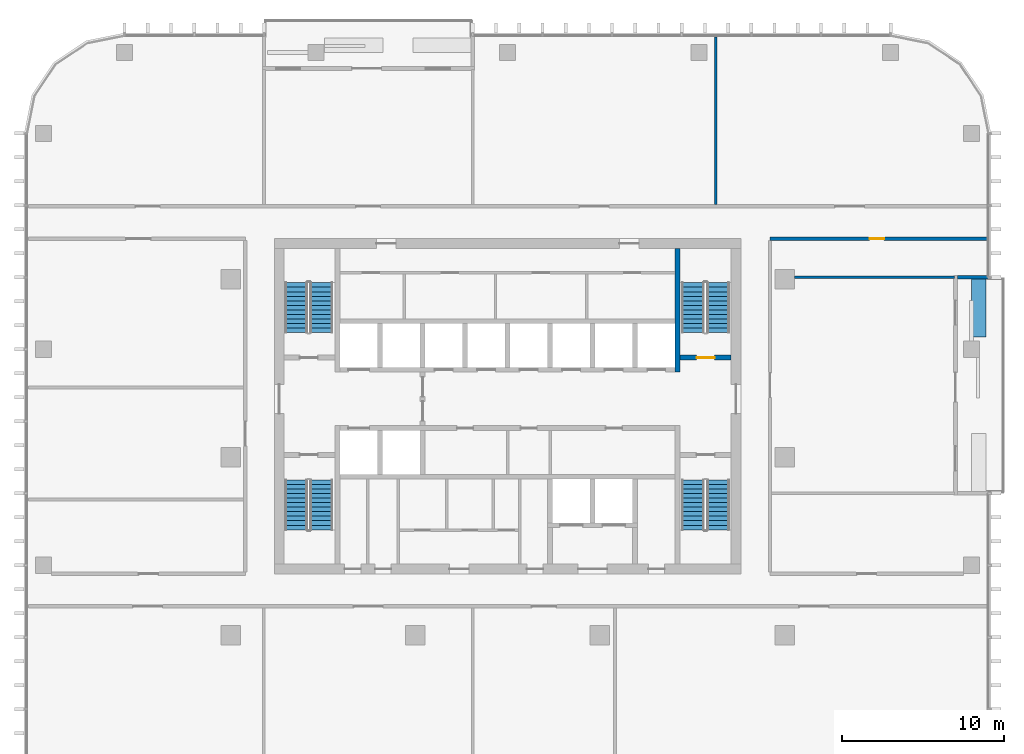
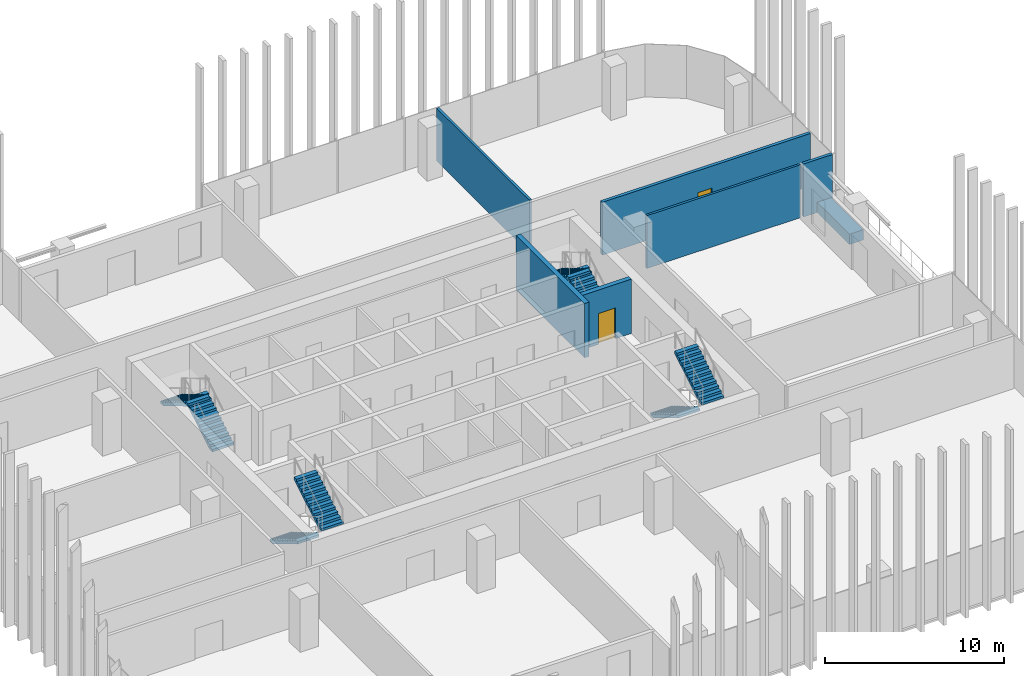
# One storey, part 10 of 16: 8 stair flights, 7 walls, 2 doors, 2 openings, 4 elements without a shape of their own.
"""IFC4 building model written with IfcOpenShell, lengths in metres."""

from ifc_helpers import new_model, si_unit, direction, frame, frame_2d, origin, place, context, subcontext, project, spatial, polyline, rectangle, outline, extrude, material, layer, layer_set, type_object, element, fill, aggregate, save


model = new_model("IFC4")

# Units and contexts
model_context = context("Model", 3, precision=1e-05, world=origin(), true_north=direction((0.0, 1.0)))
body_context = subcontext(model_context, "Body", "Model", "MODEL_VIEW")
ifc_project = project(units=[si_unit("LENGTHUNIT", "METRE"), si_unit("AREAUNIT", "SQUARE_METRE"), si_unit("VOLUMEUNIT", "CUBIC_METRE"), si_unit("PLANEANGLEUNIT", "RADIAN"), si_unit("MASSUNIT", "GRAM", prefix="KILO")], contexts=[model_context])

# Site, building, storey
site_placement = place(None, origin())
site = spatial("IfcSite", under=ifc_project, at=site_placement, CompositionType="ELEMENT")
building_placement = place(site_placement, origin())
building = spatial("IfcBuilding", under=site, at=building_placement, Name="Mopane Tessera Tower", CompositionType="ELEMENT")
storey_placement = place(building_placement, frame((0.0, 0.0, 303.39990234375)))
storey = spatial("IfcBuildingStorey", under=building, at=storey_placement, Name="L66", CompositionType="ELEMENT", Elevation=303.39990234375)

# Wall
ifc_material_1 = material(Name="Concrete C60/75", Category="concrete")
ifc_layer_1 = layer(ifc_material_1, 0.300048828125)
ifc_layer_set_1 = layer_set([ifc_layer_1], Name="Concrete C60/75")
wall_type_1 = type_object("IfcWallType", Name="Core spine wall 300 mm", PredefinedType="SHEAR", material=ifc_layer_set_1)
wall_1_placement = place(storey_placement, frame((10.5, 5.25, 0.0), z_axis=(0.0, 0.0, 1.0), x_axis=(0.0, 1.0, 0.0)))
element("IfcWall", 1, at=wall_1_placement, inside=storey, type_object=wall_type_1, Name="L66 Core spine wall", PredefinedType="SHEAR", context=body_context, shape_type="SweptSolid", body=[
    extrude(rectangle(XDim=7.64990234375, YDim=0.300048828125, at=frame_2d((3.824951171875, 0.0))), origin(), (0.0, 0.0, 1.0), 3.7001953125),
])

# Wall, opening, door
ifc_material_2 = material(Name="Gypsum board on steel studs, two layers each face, mineral wool infill", Category="steel")
ifc_layer_2 = layer(ifc_material_2, 0.199951171875)
ifc_layer_set_2 = layer_set([ifc_layer_2], Name="Gypsum board on steel studs, two layers each face, mineral wool infill")
wall_type_2 = type_object("IfcWallType", Name="Gypsum board corridor wall 200, rated EI 60", PredefinedType="PARTITIONING", material=ifc_layer_set_2)
wall_2_placement = place(storey_placement, frame((16.199951171875, 13.5, 0.0), z_axis=(0.0, 0.0, 1.0), x_axis=(1.0, 0.0, 0.0)))
wall_2 = element("IfcWall", 2, at=wall_2_placement, inside=storey, type_object=wall_type_2, Name="Partition L66:008", PredefinedType="PARTITIONING", context=body_context, shape_type="SweptSolid", body=[
    extrude(rectangle(XDim=13.400146484375, YDim=0.199951171875, at=frame_2d((6.7001953125, 0.0))), origin(), (0.0, 0.0, 1.0), 3.60009765625),
])
opening_1_placement = place(wall_2_placement, frame((6.14990234375, 0.0, 0.0)))
opening_1 = element("IfcOpeningElement", 3, at=opening_1_placement, cuts=wall_2, Name="Opening L66-07", PredefinedType="OPENING", context=body_context, shape_type="SweptSolid", body=[
    extrude(rectangle(XDim=0.89990234375, YDim=2.10009765625, at=frame_2d((0.449951171875, 1.050048828125))), frame((0.0, 0.112060546875, 0.0), z_axis=(0.0, -1.0, 0.0), x_axis=(1.0, 0.0, 0.0)), (0.0, 0.0, 1.0), 0.223876953125),
])
ifc_material_3 = material(Name="Timber veneered steel-framed fire door", Category="steel")
door_type_1 = type_object("IfcDoorType", Name="Fire door FD60 900 x 2100", OperationType="SINGLE_SWING_LEFT", PredefinedType="DOOR", material=ifc_material_3)
door_1_placement = place(opening_1_placement, origin())
door_1 = element("IfcDoor", 4, at=door_1_placement, inside=storey, type_object=door_type_1, Name="Door L66-07", ObjectType="D10A", OperationType="SINGLE_SWING_LEFT", OverallHeight=2.10009765625, OverallWidth=0.89990234375, PredefinedType="DOOR", context=body_context, shape_type="SweptSolid", body=[
    extrude(rectangle(XDim=0.89990234375, YDim=2.10009765625, at=frame_2d((0.449951171875, 1.050048828125))), frame((0.0, 0.02490234375, 0.0), z_axis=(0.0, -1.0, 0.0), x_axis=(1.0, 0.0, 0.0)), (0.0, 0.0, 1.0), 0.050048828125),
])
fill(opening_1, door_1)

# Walls
ifc_material_4 = material(Name="Gypsum board on steel studs, mineral wool infill", Category="steel")
ifc_layer_3 = layer(ifc_material_4, 0.14990234375)
ifc_layer_set_3 = layer_set([ifc_layer_3], Name="Gypsum board on steel studs, mineral wool infill")
wall_type_3 = type_object("IfcWallType", Name="Gypsum board partition 150, rated EI 60", PredefinedType="PARTITIONING", material=ifc_layer_set_3)
wall_3_placement = place(storey_placement, frame((17.699951171875, 11.110107421875, 0.0), z_axis=(0.0, 0.0, 1.0), x_axis=(1.0, 0.0, 0.0)))
element("IfcWall", 5, at=wall_3_placement, inside=storey, type_object=wall_type_3, Name="Partition L66:006", PredefinedType="PARTITIONING", context=body_context, shape_type="SweptSolid", body=[
    extrude(rectangle(XDim=9.900146484375, YDim=0.14990234375, at=frame_2d((4.9501953125, 0.0))), origin(), (0.0, 0.0, 1.0), 3.60009765625),
])
wall_4_placement = place(storey_placement, frame((12.85009765625, 15.60009765625, 0.0), z_axis=(0.0, 0.0, 1.0), x_axis=(0.0, 1.0, 0.0)))
element("IfcWall", 6, at=wall_4_placement, inside=storey, type_object=wall_type_3, Name="Partition L66:016", PredefinedType="PARTITIONING", context=body_context, shape_type="SweptSolid", body=[
    extrude(rectangle(XDim=10.349853515625, YDim=0.14990234375, at=frame_2d((5.1748046875, 0.0))), origin(), (0.0, 0.0, 1.0), 3.60009765625),
])

# Wall, opening, door
ifc_material_5 = material(Name="Concrete C50/60", Category="concrete")
ifc_layer_4 = layer(ifc_material_5, 0.300048828125)
ifc_layer_set_4 = layer_set([ifc_layer_4], Name="Concrete C50/60")
wall_type_4 = type_object("IfcWallType", Name="Lift and stair shaft wall 300 mm", PredefinedType="SOLIDWALL", material=ifc_layer_set_4)
wall_5_placement = place(storey_placement, frame((10.64990234375, 6.14990234375, 0.0), z_axis=(0.0, 0.0, 1.0), x_axis=(1.0, 0.0, 0.0)))
wall_5 = element("IfcWall", 7, at=wall_5_placement, inside=storey, type_object=wall_type_4, Name="L66 Stair enclosure wall", PredefinedType="SOLIDWALL", context=body_context, shape_type="SweptSolid", body=[
    extrude(rectangle(XDim=3.150146484375, YDim=0.300048828125, at=frame_2d((1.5751953125, 0.0))), origin(), (0.0, 0.0, 1.0), 3.7001953125),
])
opening_2_placement = place(wall_5_placement, frame((1.02490234375, 0.0, 0.0)))
opening_2 = element("IfcOpeningElement", 8, at=opening_2_placement, cuts=wall_5, Name="Opening SD1", PredefinedType="OPENING", context=body_context, shape_type="SweptSolid", body=[
    extrude(rectangle(XDim=1.10009765625, YDim=2.10009765625, at=frame_2d((0.550048828125, 1.050048828125))), frame((0.0, 0.162109375, 0.0), z_axis=(0.0, -1.0, 0.0), x_axis=(1.0, 0.0, 0.0)), (0.0, 0.0, 1.0), 0.323974609375),
])
ifc_material_6 = material(Name="Steel fire door", Category="steel")
door_type_2 = type_object("IfcDoorType", Name="Stair fire door 1100 x 2100", OperationType="SINGLE_SWING_LEFT", PredefinedType="DOOR", material=ifc_material_6)
door_2_placement = place(opening_2_placement, origin())
door_2 = element("IfcDoor", 9, at=door_2_placement, inside=storey, type_object=door_type_2, Name="L66 Stair door ST4", OperationType="SINGLE_SWING_RIGHT", OverallHeight=2.10009765625, OverallWidth=1.10009765625, PredefinedType="DOOR", context=body_context, shape_type="SweptSolid", body=[
    extrude(rectangle(XDim=1.10009765625, YDim=2.10009765625, at=frame_2d((0.550048828125, 1.050048828125))), frame((0.0, 0.02490234375, 0.0), z_axis=(0.0, -1.0, 0.0), x_axis=(1.0, 0.0, 0.0)), (0.0, 0.0, 1.0), 0.050048828125),
])
fill(opening_2, door_2)

# Walls
ifc_material_7 = material(Name="Reinforced concrete C32/40 with waterproofing", Category="concrete")
ifc_layer_5 = layer(ifc_material_7, 0.89990234375)
ifc_layer_set_5 = layer_set([ifc_layer_5], Name="Reinforced concrete C32/40 with waterproofing")
wall_type_5 = type_object("IfcWallType", Name="Planter trough 3600 x 900", PredefinedType="STANDARD", material=ifc_layer_set_5)
wall_6_placement = place(storey_placement, frame((29.10009765625, 7.4111328125, 0.0), z_axis=(0.0, 0.0, 1.0), x_axis=(0.0, 1.0, 0.0)))
element("IfcWall", 10, at=wall_6_placement, inside=storey, type_object=wall_type_5, Name="e:nw:L66:N1:pl1", PredefinedType="STANDARD", context=body_context, shape_type="SweptSolid", body=[
    extrude(rectangle(XDim=3.60009765625, YDim=0.89990234375, at=frame_2d((1.800048828125, 0.0))), origin(), (0.0, 0.0, 1.0), 0.7001953125),
])
ifc_material_8 = material(Name="Blockwork with glazed tile facing", Category="masonry")
ifc_layer_6 = layer(ifc_material_8, 0.199951171875)
ifc_layer_set_6 = layer_set([ifc_layer_6], Name="Blockwork with glazed tile facing")
wall_type_6 = type_object("IfcWallType", Name="Terrace cheek wall 200", PredefinedType="STANDARD", material=ifc_layer_set_6)
wall_7_placement = place(storey_placement, frame((29.64990234375, 11.111083984375, 0.0), z_axis=(0.0, 0.0, 1.0), x_axis=(-1.0, 0.0, 0.0)))
element("IfcWall", 11, at=wall_7_placement, inside=storey, type_object=wall_type_6, Name="e:nw:L66:N1:cheekb", PredefinedType="STANDARD", context=body_context, shape_type="SweptSolid", body=[
    extrude(rectangle(XDim=1.875, YDim=0.199951171875, at=frame_2d((0.9375, 0.0))), origin(), (0.0, 0.0, 1.0), 3.60009765625),
])

# Stair, stair flights
ifc_material_9 = material(Name="Concrete C50/60", Category="concrete")
stair_type = type_object("IfcStairType", Name="Escape stair 1400 mm, riser 167 mm", PredefinedType="HALF_TURN_STAIR", material=ifc_material_9)
stair_1_placement = place(storey_placement, origin())
stair_1 = element("IfcStair", 12, at=stair_1_placement, inside=storey, type_object=stair_type, Name="L66 Escape stair south-west", PredefinedType="HALF_TURN_STAIR")
ifc_material_10 = material(Name="Concrete C50/60", Category="concrete")
stair_flight_type = type_object("IfcStairFlightType", Name="Escape stair flight 1400 mm", PredefinedType="STRAIGHT", material=ifc_material_10)
stair_flight_1_placement = place(storey_placement, frame((-13.050048828125, -1.39990234375, 0.0), z_axis=(0.0, 0.0, 1.0), x_axis=(0.0, -1.0, 0.0)))
stair_flight_1 = element("IfcStairFlight", 13, at=stair_flight_1_placement, type_object=stair_flight_type, Name="ST1 flight 1", NumberOfRisers=12, NumberOfTreads=11, PredefinedType="STRAIGHT", RiserHeight=0.166666667, TreadLength=0.28, context=body_context, shape_type="SweptSolid", body=[
    extrude(outline(polyline([(0.0, 0.0), (0.0, 0.166748046875), (0.280029296875, 0.166748046875), (0.280029296875, 0.333251953125), (0.56005859375, 0.333251953125), (0.56005859375, 0.5), (0.840087890625, 0.5), (0.840087890625, 0.666748046875), (1.1201171875, 0.666748046875), (1.1201171875, 0.833251953125), (1.39990234375, 0.833251953125), (1.39990234375, 1.0), (1.679931640625, 1.0), (1.679931640625, 1.166748046875), (1.9599609375, 1.166748046875), (1.9599609375, 1.333251953125), (2.239990234375, 1.333251953125), (2.239990234375, 1.5), (2.52001953125, 1.5), (2.52001953125, 1.666748046875), (2.800048828125, 1.666748046875), (2.800048828125, 1.833251953125), (3.080078125, 1.833251953125), (3.080078125, 2.0), (3.080078125, 1.658935546875), (0.29296875, 0.0), (0.0, 0.0)])), frame((0.0, 0.699951171875, 0.0), z_axis=(0.0, -1.0, 0.0), x_axis=(1.0, 0.0, 0.0)), (0.0, 0.0, 1.0), 1.39990234375),
])
stair_flight_2_placement = place(storey_placement, frame((-11.5, -4.47998046875, 2.0), z_axis=(0.0, 0.0, 1.0), x_axis=(0.0, 1.0, 0.0)))
stair_flight_2 = element("IfcStairFlight", 14, at=stair_flight_2_placement, type_object=stair_flight_type, Name="ST1 flight 2", NumberOfRisers=12, NumberOfTreads=11, PredefinedType="STRAIGHT", RiserHeight=0.166666667, TreadLength=0.28, context=body_context, shape_type="SweptSolid", body=[
    extrude(outline(polyline([(0.0, 0.0), (0.0, 0.166748046875), (0.280029296875, 0.166748046875), (0.280029296875, 0.333251953125), (0.56005859375, 0.333251953125), (0.56005859375, 0.5), (0.840087890625, 0.5), (0.840087890625, 0.666748046875), (1.1201171875, 0.666748046875), (1.1201171875, 0.833251953125), (1.39990234375, 0.833251953125), (1.39990234375, 1.0), (1.679931640625, 1.0), (1.679931640625, 1.166748046875), (1.9599609375, 1.166748046875), (1.9599609375, 1.333251953125), (2.239990234375, 1.333251953125), (2.239990234375, 1.5), (2.52001953125, 1.5), (2.52001953125, 1.666748046875), (2.800048828125, 1.666748046875), (2.800048828125, 1.833251953125), (3.080078125, 1.833251953125), (3.080078125, 2.0), (3.080078125, 1.658935546875), (0.29296875, 0.0), (0.0, 0.0)])), frame((0.0, 0.699951171875, 0.0), z_axis=(0.0, -1.0, 0.0), x_axis=(1.0, 0.0, 0.0)), (0.0, 0.0, 1.0), 1.39990234375),
])
aggregate(stair_1, [stair_flight_1, stair_flight_2])

stair_2_placement = place(storey_placement, origin())
stair_2 = element("IfcStair", 15, at=stair_2_placement, inside=storey, type_object=stair_type, Name="L66 Escape stair north-west", PredefinedType="HALF_TURN_STAIR")
stair_flight_3_placement = place(storey_placement, frame((-11.5, 7.699951171875, 0.0), z_axis=(0.0, 0.0, 1.0), x_axis=(0.0, 1.0, 0.0)))
stair_flight_3 = element("IfcStairFlight", 16, at=stair_flight_3_placement, type_object=stair_flight_type, Name="ST2 flight 1", NumberOfRisers=12, NumberOfTreads=11, PredefinedType="STRAIGHT", RiserHeight=0.166666667, TreadLength=0.28, context=body_context, shape_type="SweptSolid", body=[
    extrude(outline(polyline([(0.0, 0.0), (0.0, 0.166748046875), (0.280029296875, 0.166748046875), (0.280029296875, 0.333251953125), (0.56005859375, 0.333251953125), (0.56005859375, 0.5), (0.840087890625, 0.5), (0.840087890625, 0.666748046875), (1.1201171875, 0.666748046875), (1.1201171875, 0.833251953125), (1.39990234375, 0.833251953125), (1.39990234375, 1.0), (1.679931640625, 1.0), (1.679931640625, 1.166748046875), (1.9599609375, 1.166748046875), (1.9599609375, 1.333251953125), (2.239990234375, 1.333251953125), (2.239990234375, 1.5), (2.52001953125, 1.5), (2.52001953125, 1.666748046875), (2.800048828125, 1.666748046875), (2.800048828125, 1.833251953125), (3.080078125, 1.833251953125), (3.080078125, 2.0), (3.080078125, 1.658935546875), (0.29296875, 0.0), (0.0, 0.0)])), frame((0.0, 0.699951171875, 0.0), z_axis=(0.0, -1.0, 0.0), x_axis=(1.0, 0.0, 0.0)), (0.0, 0.0, 1.0), 1.39990234375),
])
stair_flight_4_placement = place(storey_placement, frame((-13.050048828125, 10.780029296875, 2.0), z_axis=(0.0, 0.0, 1.0), x_axis=(0.0, -1.0, 0.0)))
stair_flight_4 = element("IfcStairFlight", 17, at=stair_flight_4_placement, type_object=stair_flight_type, Name="ST2 flight 2", NumberOfRisers=12, NumberOfTreads=11, PredefinedType="STRAIGHT", RiserHeight=0.166666667, TreadLength=0.28, context=body_context, shape_type="SweptSolid", body=[
    extrude(outline(polyline([(0.0, 0.0), (0.0, 0.166748046875), (0.280029296875, 0.166748046875), (0.280029296875, 0.333251953125), (0.56005859375, 0.333251953125), (0.56005859375, 0.5), (0.840087890625, 0.5), (0.840087890625, 0.666748046875), (1.1201171875, 0.666748046875), (1.1201171875, 0.833251953125), (1.39990234375, 0.833251953125), (1.39990234375, 1.0), (1.679931640625, 1.0), (1.679931640625, 1.166748046875), (1.9599609375, 1.166748046875), (1.9599609375, 1.333251953125), (2.239990234375, 1.333251953125), (2.239990234375, 1.5), (2.52001953125, 1.5), (2.52001953125, 1.666748046875), (2.800048828125, 1.666748046875), (2.800048828125, 1.833251953125), (3.080078125, 1.833251953125), (3.080078125, 2.0), (3.080078125, 1.658935546875), (0.29296875, 0.0), (0.0, 0.0)])), frame((0.0, 0.699951171875, 0.0), z_axis=(0.0, -1.0, 0.0), x_axis=(1.0, 0.0, 0.0)), (0.0, 0.0, 1.0), 1.39990234375),
])
aggregate(stair_2, [stair_flight_3, stair_flight_4])

stair_3_placement = place(storey_placement, origin())
stair_3 = element("IfcStair", 18, at=stair_3_placement, inside=storey, type_object=stair_type, Name="L66 Escape stair south-east", PredefinedType="HALF_TURN_STAIR")
stair_flight_5_placement = place(storey_placement, frame((11.449951171875, -1.39990234375, 0.0), z_axis=(0.0, 0.0, 1.0), x_axis=(0.0, -1.0, 0.0)))
stair_flight_5 = element("IfcStairFlight", 19, at=stair_flight_5_placement, type_object=stair_flight_type, Name="ST3 flight 1", NumberOfRisers=12, NumberOfTreads=11, PredefinedType="STRAIGHT", RiserHeight=0.166666667, TreadLength=0.28, context=body_context, shape_type="SweptSolid", body=[
    extrude(outline(polyline([(0.0, 0.0), (0.0, 0.166748046875), (0.280029296875, 0.166748046875), (0.280029296875, 0.333251953125), (0.56005859375, 0.333251953125), (0.56005859375, 0.5), (0.840087890625, 0.5), (0.840087890625, 0.666748046875), (1.1201171875, 0.666748046875), (1.1201171875, 0.833251953125), (1.39990234375, 0.833251953125), (1.39990234375, 1.0), (1.679931640625, 1.0), (1.679931640625, 1.166748046875), (1.9599609375, 1.166748046875), (1.9599609375, 1.333251953125), (2.239990234375, 1.333251953125), (2.239990234375, 1.5), (2.52001953125, 1.5), (2.52001953125, 1.666748046875), (2.800048828125, 1.666748046875), (2.800048828125, 1.833251953125), (3.080078125, 1.833251953125), (3.080078125, 2.0), (3.080078125, 1.658935546875), (0.29296875, 0.0), (0.0, 0.0)])), frame((0.0, 0.699951171875, 0.0), z_axis=(0.0, -1.0, 0.0), x_axis=(1.0, 0.0, 0.0)), (0.0, 0.0, 1.0), 1.39990234375),
])
stair_flight_6_placement = place(storey_placement, frame((13.0, -4.47998046875, 2.0), z_axis=(0.0, 0.0, 1.0), x_axis=(0.0, 1.0, 0.0)))
stair_flight_6 = element("IfcStairFlight", 20, at=stair_flight_6_placement, type_object=stair_flight_type, Name="ST3 flight 2", NumberOfRisers=12, NumberOfTreads=11, PredefinedType="STRAIGHT", RiserHeight=0.166666667, TreadLength=0.28, context=body_context, shape_type="SweptSolid", body=[
    extrude(outline(polyline([(0.0, 0.0), (0.0, 0.166748046875), (0.280029296875, 0.166748046875), (0.280029296875, 0.333251953125), (0.56005859375, 0.333251953125), (0.56005859375, 0.5), (0.840087890625, 0.5), (0.840087890625, 0.666748046875), (1.1201171875, 0.666748046875), (1.1201171875, 0.833251953125), (1.39990234375, 0.833251953125), (1.39990234375, 1.0), (1.679931640625, 1.0), (1.679931640625, 1.166748046875), (1.9599609375, 1.166748046875), (1.9599609375, 1.333251953125), (2.239990234375, 1.333251953125), (2.239990234375, 1.5), (2.52001953125, 1.5), (2.52001953125, 1.666748046875), (2.800048828125, 1.666748046875), (2.800048828125, 1.833251953125), (3.080078125, 1.833251953125), (3.080078125, 2.0), (3.080078125, 1.658935546875), (0.29296875, 0.0), (0.0, 0.0)])), frame((0.0, 0.699951171875, 0.0), z_axis=(0.0, -1.0, 0.0), x_axis=(1.0, 0.0, 0.0)), (0.0, 0.0, 1.0), 1.39990234375),
])
aggregate(stair_3, [stair_flight_5, stair_flight_6])

stair_4_placement = place(storey_placement, origin())
stair_4 = element("IfcStair", 21, at=stair_4_placement, inside=storey, type_object=stair_type, Name="L66 Escape stair north-east", PredefinedType="HALF_TURN_STAIR")
stair_flight_7_placement = place(storey_placement, frame((13.0, 7.699951171875, 0.0), z_axis=(0.0, 0.0, 1.0), x_axis=(0.0, 1.0, 0.0)))
stair_flight_7 = element("IfcStairFlight", 22, at=stair_flight_7_placement, type_object=stair_flight_type, Name="ST4 flight 1", NumberOfRisers=12, NumberOfTreads=11, PredefinedType="STRAIGHT", RiserHeight=0.166666667, TreadLength=0.28, context=body_context, shape_type="SweptSolid", body=[
    extrude(outline(polyline([(0.0, 0.0), (0.0, 0.166748046875), (0.280029296875, 0.166748046875), (0.280029296875, 0.333251953125), (0.56005859375, 0.333251953125), (0.56005859375, 0.5), (0.840087890625, 0.5), (0.840087890625, 0.666748046875), (1.1201171875, 0.666748046875), (1.1201171875, 0.833251953125), (1.39990234375, 0.833251953125), (1.39990234375, 1.0), (1.679931640625, 1.0), (1.679931640625, 1.166748046875), (1.9599609375, 1.166748046875), (1.9599609375, 1.333251953125), (2.239990234375, 1.333251953125), (2.239990234375, 1.5), (2.52001953125, 1.5), (2.52001953125, 1.666748046875), (2.800048828125, 1.666748046875), (2.800048828125, 1.833251953125), (3.080078125, 1.833251953125), (3.080078125, 2.0), (3.080078125, 1.658935546875), (0.29296875, 0.0), (0.0, 0.0)])), frame((0.0, 0.699951171875, 0.0), z_axis=(0.0, -1.0, 0.0), x_axis=(1.0, 0.0, 0.0)), (0.0, 0.0, 1.0), 1.39990234375),
])
stair_flight_8_placement = place(storey_placement, frame((11.449951171875, 10.780029296875, 2.0), z_axis=(0.0, 0.0, 1.0), x_axis=(0.0, -1.0, 0.0)))
stair_flight_8 = element("IfcStairFlight", 23, at=stair_flight_8_placement, type_object=stair_flight_type, Name="ST4 flight 2", NumberOfRisers=12, NumberOfTreads=11, PredefinedType="STRAIGHT", RiserHeight=0.166666667, TreadLength=0.28, context=body_context, shape_type="SweptSolid", body=[
    extrude(outline(polyline([(0.0, 0.0), (0.0, 0.166748046875), (0.280029296875, 0.166748046875), (0.280029296875, 0.333251953125), (0.56005859375, 0.333251953125), (0.56005859375, 0.5), (0.840087890625, 0.5), (0.840087890625, 0.666748046875), (1.1201171875, 0.666748046875), (1.1201171875, 0.833251953125), (1.39990234375, 0.833251953125), (1.39990234375, 1.0), (1.679931640625, 1.0), (1.679931640625, 1.166748046875), (1.9599609375, 1.166748046875), (1.9599609375, 1.333251953125), (2.239990234375, 1.333251953125), (2.239990234375, 1.5), (2.52001953125, 1.5), (2.52001953125, 1.666748046875), (2.800048828125, 1.666748046875), (2.800048828125, 1.833251953125), (3.080078125, 1.833251953125), (3.080078125, 2.0), (3.080078125, 1.658935546875), (0.29296875, 0.0), (0.0, 0.0)])), frame((0.0, 0.699951171875, 0.0), z_axis=(0.0, -1.0, 0.0), x_axis=(1.0, 0.0, 0.0)), (0.0, 0.0, 1.0), 1.39990234375),
])
aggregate(stair_4, [stair_flight_7, stair_flight_8])

save(model, "model.ifc")
